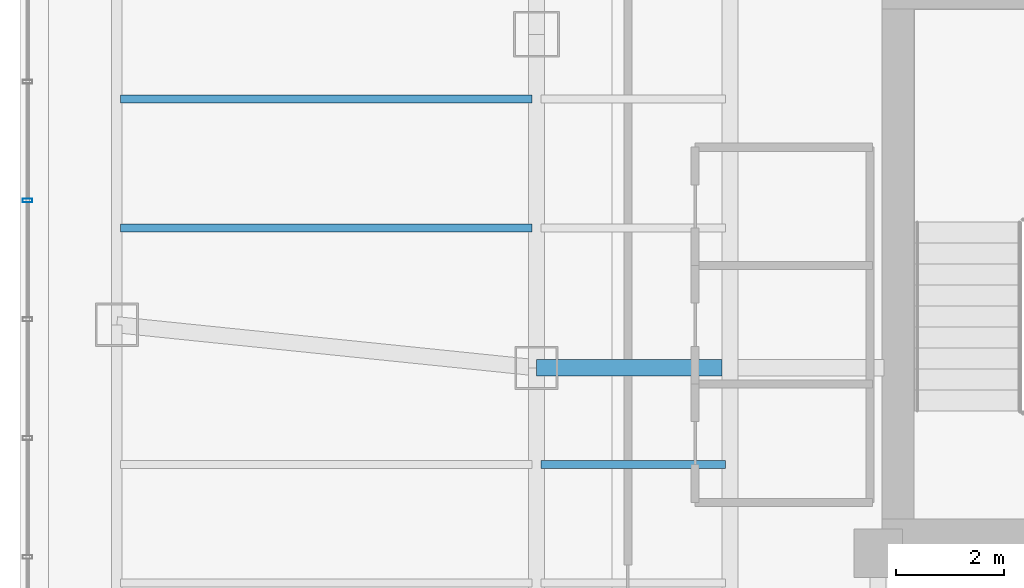
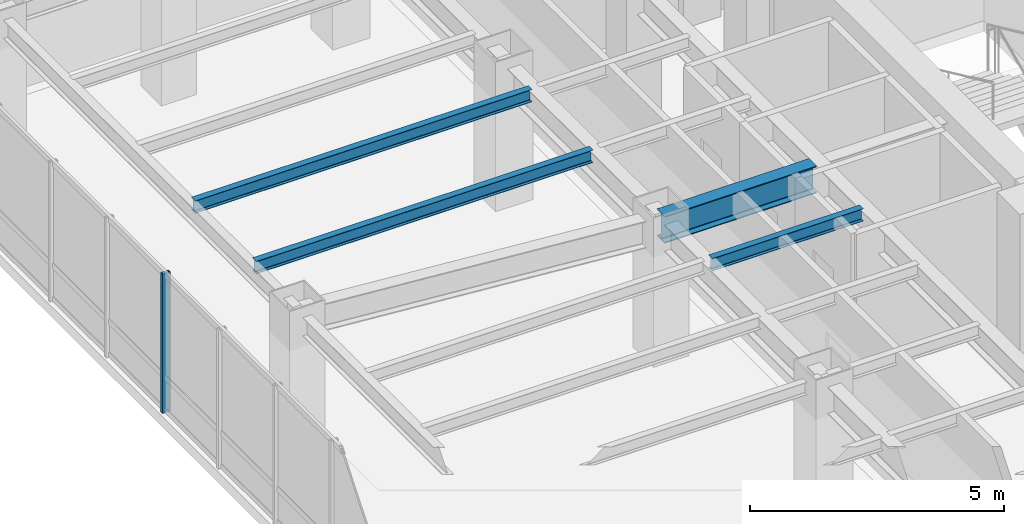
# One storey, part 8 of 26: 4 beams, 1 member, 1 element without a shape of its own.
"""IFC4 building model written with IfcOpenShell, lengths in metres."""

from ifc_helpers import new_model, si_unit, direction, frame, origin, origin_2d, place, context, subcontext, project, spatial, hollow_rectangle, i_section, extrude, material, layer, layer_set, material_profile, profile_set, type_object, element, aggregate, save


model = new_model("IFC4")

# Units and contexts
model_context = context("Model", 3, precision=1e-05, world=origin(), true_north=direction((0.0, 1.0)))
body_context = subcontext(model_context, "Body", "Model", "MODEL_VIEW")
ifc_project = project(units=[si_unit("LENGTHUNIT", "METRE"), si_unit("AREAUNIT", "SQUARE_METRE"), si_unit("VOLUMEUNIT", "CUBIC_METRE"), si_unit("PLANEANGLEUNIT", "RADIAN"), si_unit("MASSUNIT", "GRAM", prefix="KILO")], contexts=[model_context])

# Site, building, storey
site_placement = place(None, origin())
site = spatial("IfcSite", under=ifc_project, at=site_placement, CompositionType="ELEMENT")
building_placement = place(site_placement, origin())
building = spatial("IfcBuilding", under=site, at=building_placement, Name="Hatsunagi Terrace Concourse", CompositionType="ELEMENT")
storey_placement = place(building_placement, frame((0.0, 0.0, 134.85009765625)))
storey = spatial("IfcBuildingStorey", under=building, at=storey_placement, Name="L35", CompositionType="ELEMENT", Elevation=134.85009765625)

# Curtain wall, member
ifc_material_1 = material(Name="Anodised Aluminium Alloy 6063-T5", Category="aluminium")
ifc_layer = layer(ifc_material_1, 0.199951171875)
ifc_layer_set = layer_set([ifc_layer], Name="OfficeZone1_CW03")
curtain_wall_type = type_object("IfcCurtainWallType", Name="OfficeZone1_CW03", PredefinedType="NOTDEFINED", material=ifc_layer_set)
curtain_wall_placement = place(storey_placement, origin())
curtain_wall = element("IfcCurtainWall", 1, at=curtain_wall_placement, inside=storey, type_object=curtain_wall_type, Name="Unitised Curtain Wall CW-03 CW-L35-09", PredefinedType="NOTDEFINED")
ifc_material_2 = material(Name="Anodised Aluminium Alloy 6063-T5", Category="aluminium")
ifc_material_profile_1 = material_profile(ifc_material_2, hollow_rectangle(XDim=0.070068359375, YDim=0.179931640625, WallThickness=0.00390625, at=origin_2d()), Name="ALU-MUL-180x70x4")
ifc_profile_set_1 = profile_set([ifc_material_profile_1], Name="Anodised Aluminium Alloy 6063-T5")
member_type = type_object("IfcMemberType", Name="CurtainWallMullion_180x70", PredefinedType="MULLION", material=ifc_profile_set_1)
member_placement = place(storey_placement, frame((9.739990234375, 39.10791015625, 0.0), z_axis=(0.0, 0.0, 1.0), x_axis=(0.0, 1.0, 0.0)))
member = element("IfcMember", 2, at=member_placement, type_object=member_type, Name="Curtain Wall Mullion MUL-02", PredefinedType="MULLION", context=body_context, shape_type="SweptSolid", body=[
    extrude(hollow_rectangle(XDim=0.070068359375, YDim=0.179931640625, WallThickness=0.00390625, at=origin_2d()), origin(), (0.0, 0.0, 1.0), 3.349853515625),
])
aggregate(curtain_wall, [member])

# Beams
ifc_material_3 = material(Name="Steel SN490B", Category="steel")
ifc_material_profile_2 = material_profile(ifc_material_3, i_section(OverallWidth=0.14990234375, OverallDepth=0.300048828125, WebThickness=0.006591796875, FlangeThickness=0.009033203125, FilletRadius=0.010986328125, at=origin_2d()), Name="H-300x150x6.5x9")
ifc_profile_set_2 = profile_set([ifc_material_profile_2], Name="Steel SN490B")
beam_type_1 = type_object("IfcBeamType", Name="OfficeJoist_H_300x150", PredefinedType="JOIST", material=ifc_profile_set_2)
beam_1_placement = place(storey_placement, frame((19.284912109375, 34.199951171875, 3.199951171875), z_axis=(1.0, 0.0, 0.0), x_axis=(0.0, 1.0, 0.0)))
element("IfcBeam", 3, at=beam_1_placement, inside=storey, type_object=beam_type_1, Name="Beam J-03 J-L35-W-19-342", PredefinedType="JOIST", context=body_context, shape_type="SweptSolid", body=[
    extrude(i_section(OverallWidth=0.14990234375, OverallDepth=0.300048828125, WebThickness=0.006591796875, FlangeThickness=0.009033203125, FilletRadius=0.010986328125, at=origin_2d()), origin(), (0.0, 0.0, 1.0), 3.43017578125),
])
for number, where, z_axis, x_axis, name in (
    (4, (11.465087890625, 38.60009765625, 3.199951171875), (1.0, 0.0, 0.0), (0.0, 1.0, 0.0), "Beam J-03 J-L35-W-11-386"),
    (5, (11.465087890625, 41.0, 3.199951171875), (1.0, 0.0, 0.0), (0.0, 1.0, 0.0), "Beam J-03 J-L35-W-11-410"),
):
    element("IfcBeam", number, at=place(storey_placement, frame(where, z_axis=z_axis, x_axis=x_axis)), inside=storey, type_object=beam_type_1, Name=name, PredefinedType="JOIST", context=body_context, shape_type="SweptSolid", body=[
        extrude(i_section(OverallWidth=0.14990234375, OverallDepth=0.300048828125, WebThickness=0.006591796875, FlangeThickness=0.009033203125, FilletRadius=0.010986328125, at=origin_2d()), origin(), (0.0, 0.0, 1.0), 7.64990234375),
    ])
ifc_material_4 = material(Name="Steel SN490B", Category="steel")
ifc_material_profile_3 = material_profile(ifc_material_4, i_section(OverallWidth=0.300048828125, OverallDepth=0.64990234375, WebThickness=0.012939453125, FlangeThickness=0.02197265625, FilletRadius=0.01806640625, at=origin_2d()), Name="H-650x300x13x22")
ifc_profile_set_3 = profile_set([ifc_material_profile_3], Name="Steel SN490B")
beam_type_2 = type_object("IfcBeamType", Name="OfficeLowGirder_H_650x300", PredefinedType="BEAM", material=ifc_profile_set_3)
beam_2_placement = place(storey_placement, frame((19.199951171875, 36.0, 3.02490234375), z_axis=(1.0, 0.0, 0.0), x_axis=(0.0, 1.0, 0.0)))
element("IfcBeam", 6, at=beam_2_placement, inside=storey, type_object=beam_type_2, Name="Beam G-05 BM-L35-EW-3", PredefinedType="BEAM", context=body_context, shape_type="SweptSolid", body=[
    extrude(i_section(OverallWidth=0.300048828125, OverallDepth=0.64990234375, WebThickness=0.012939453125, FlangeThickness=0.02197265625, FilletRadius=0.01806640625, at=origin_2d()), origin(), (0.0, 0.0, 1.0), 3.449951171875),
])

save(model, "model.ifc")
